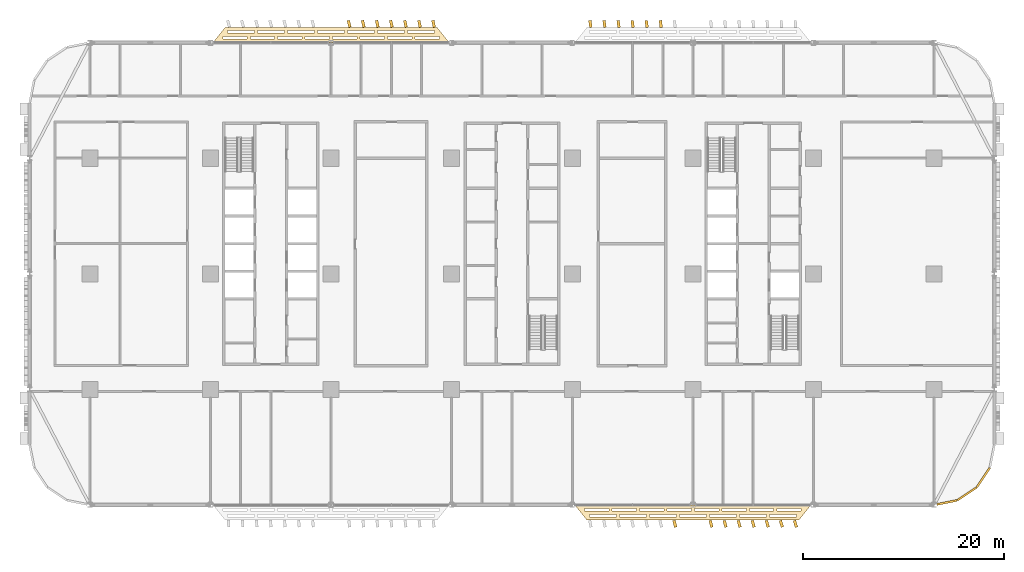
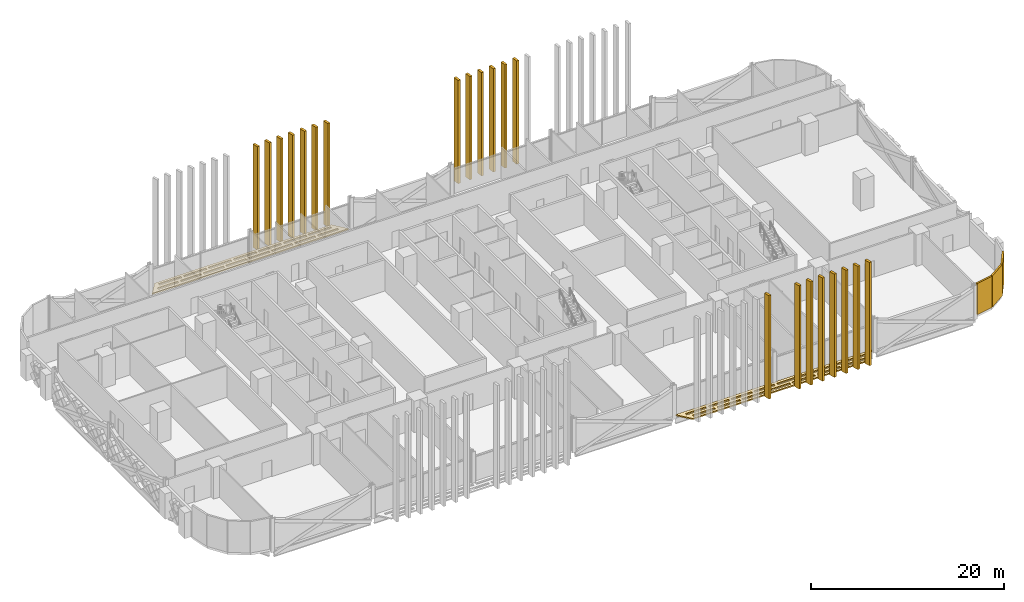
# One storey, part 26 of 29: 26 coverings.
"""IFC4 building model written with IfcOpenShell, lengths in metres."""

from ifc_helpers import new_model, si_unit, direction, frame, origin, origin_2d, place, context, subcontext, project, spatial, polyline, rectangle, outline, extrude, material, layer, layer_set, type_object, element, save


model = new_model("IFC4")

# Units and contexts
model_context = context("Model", 3, precision=1e-05, world=origin(), true_north=direction((0.0, 1.0)))
body_context = subcontext(model_context, "Body", "Model", "MODEL_VIEW")
ifc_project = project(units=[si_unit("LENGTHUNIT", "METRE"), si_unit("AREAUNIT", "SQUARE_METRE"), si_unit("VOLUMEUNIT", "CUBIC_METRE"), si_unit("PLANEANGLEUNIT", "RADIAN"), si_unit("MASSUNIT", "GRAM", prefix="KILO")], contexts=[model_context])

# Site, building, storey
site_placement = place(None, origin())
site = spatial("IfcSite", under=ifc_project, at=site_placement, CompositionType="ELEMENT")
building_placement = place(site_placement, origin())
building = spatial("IfcBuilding", under=site, at=building_placement, Name="Mahtab Terrace Research Tower", CompositionType="ELEMENT")
storey_placement = place(building_placement, frame((0.0, 0.0, 24.39990234375)))
storey = spatial("IfcBuildingStorey", under=building, at=storey_placement, Name="L05", CompositionType="ELEMENT", Elevation=24.39990234375)

# Coverings
ifc_material_1 = material(Name="Black aluminium cladding panel", Category="aluminium")
ifc_layer_1 = layer(ifc_material_1, 0.199951171875)
ifc_layer_set_1 = layer_set([ifc_layer_1], Name="Black metal corner cladding 200")
covering_type_1 = type_object("IfcCoveringType", Name="Black metal corner cladding 200", PredefinedType="CLADDING", material=ifc_layer_set_1)
covering_1_placement = place(storey_placement, frame((43.28173828125, -22.744873046875, 0.0), z_axis=(0.0, 0.0, 1.0), x_axis=(0.980760981187, 0.195212442692, 0.0)))
element("IfcCovering", 1, at=covering_1_placement, inside=storey, type_object=covering_type_1, Name="Corner cladding L05 29", PredefinedType="CLADDING", context=body_context, shape_type="SweptSolid", body=[
    extrude(rectangle(XDim=2.0283203125, YDim=0.199951171875, at=origin_2d()), origin(), (0.0, 0.0, 1.0), 3.9599609375),
])
for number, where, z_axis, x_axis, name in (
    (2, (45.26953125, -21.89306640625, 0.0), (0.0, 0.0, 1.0), (0.831655794326, 0.555291490808, 0.0), "Corner cladding L05 30"),
    (3, (46.89306640625, -20.26953125, 0.0), (0.0, 0.0, 1.0), (0.555291490808, 0.831655794326, 0.0), "Corner cladding L05 31"),
):
    element("IfcCovering", number, at=place(storey_placement, frame(where, z_axis=z_axis, x_axis=x_axis)), inside=storey, type_object=covering_type_1, Name=name, PredefinedType="CLADDING", context=body_context, shape_type="SweptSolid", body=[
        extrude(rectangle(XDim=2.30126953125, YDim=0.199951171875, at=origin_2d()), origin(), (0.0, 0.0, 1.0), 3.9599609375),
    ])
ifc_material_2 = material(Name="Black anodised aluminium", Category="aluminium")
ifc_layer_2 = layer(ifc_material_2, 0.14990234375)
ifc_layer_set_2 = layer_set([ifc_layer_2], Name="Horizontal sunshade band")
covering_type_2 = type_object("IfcCoveringType", Name="Horizontal sunshade band", PredefinedType="CLADDING", material=ifc_layer_set_2)
covering_2_placement = place(storey_placement, frame((0.0, 0.0, -0.14990234375)))
element("IfcCovering", 4, at=covering_2_placement, inside=storey, type_object=covering_type_2, Name="Sunshade band L05 7", PredefinedType="CLADDING", context=body_context, shape_type="SweptSolid", body=[
    extrude(outline(polyline([(-6.2490234375, 23.0), (-29.7509765625, 23.0), (-28.551025390625, 24.5), (-7.448974609375, 24.5), (-6.2490234375, 23.0)]), holes=[polyline([(-7.22900390625, 23.35009765625), (-9.658935546875, 23.35009765625), (-9.658935546875, 23.60009765625), (-7.22900390625, 23.60009765625), (-7.22900390625, 23.35009765625)]), polyline([(-9.958984375, 23.35009765625), (-12.388916015625, 23.35009765625), (-12.388916015625, 23.60009765625), (-9.958984375, 23.60009765625), (-9.958984375, 23.35009765625)]), polyline([(-12.68896484375, 23.35009765625), (-15.1201171875, 23.35009765625), (-15.1201171875, 23.60009765625), (-12.68896484375, 23.60009765625), (-12.68896484375, 23.35009765625)]), polyline([(-15.419921875, 23.35009765625), (-17.85009765625, 23.35009765625), (-17.85009765625, 23.60009765625), (-15.419921875, 23.60009765625), (-15.419921875, 23.35009765625)]), polyline([(-18.14990234375, 23.35009765625), (-20.580078125, 23.35009765625), (-20.580078125, 23.60009765625), (-18.14990234375, 23.60009765625), (-18.14990234375, 23.35009765625)]), polyline([(-20.8798828125, 23.35009765625), (-23.31005859375, 23.35009765625), (-23.31005859375, 23.60009765625), (-20.8798828125, 23.60009765625), (-20.8798828125, 23.35009765625)]), polyline([(-23.611083984375, 23.35009765625), (-26.041015625, 23.35009765625), (-26.041015625, 23.60009765625), (-23.611083984375, 23.60009765625), (-23.611083984375, 23.35009765625)]), polyline([(-26.341064453125, 23.35009765625), (-28.77099609375, 23.35009765625), (-28.77099609375, 23.60009765625), (-26.341064453125, 23.60009765625), (-26.341064453125, 23.35009765625)]), polyline([(-7.708984375, 23.949951171875), (-10.39208984375, 23.949951171875), (-10.39208984375, 24.199951171875), (-7.708984375, 24.199951171875), (-7.708984375, 23.949951171875)]), polyline([(-10.69189453125, 23.949951171875), (-13.375, 23.949951171875), (-13.375, 24.199951171875), (-10.69189453125, 24.199951171875), (-10.69189453125, 23.949951171875)]), polyline([(-13.675048828125, 23.949951171875), (-16.35791015625, 23.949951171875), (-16.35791015625, 24.199951171875), (-13.675048828125, 24.199951171875), (-13.675048828125, 23.949951171875)]), polyline([(-16.657958984375, 23.949951171875), (-19.342041015625, 23.949951171875), (-19.342041015625, 24.199951171875), (-16.657958984375, 24.199951171875), (-16.657958984375, 23.949951171875)]), polyline([(-19.64208984375, 23.949951171875), (-22.324951171875, 23.949951171875), (-22.324951171875, 24.199951171875), (-19.64208984375, 24.199951171875), (-19.64208984375, 23.949951171875)]), polyline([(-22.625, 23.949951171875), (-25.30810546875, 23.949951171875), (-25.30810546875, 24.199951171875), (-22.625, 24.199951171875), (-22.625, 23.949951171875)]), polyline([(-25.60791015625, 23.949951171875), (-28.291015625, 23.949951171875), (-28.291015625, 24.199951171875), (-25.60791015625, 24.199951171875), (-25.60791015625, 23.949951171875)])]), origin(), (0.0, 0.0, 1.0), 0.14990234375),
])
covering_3_placement = place(storey_placement, frame((0.0, 0.0, -0.14990234375)))
element("IfcCovering", 5, at=covering_3_placement, inside=storey, type_object=covering_type_2, Name="Sunshade band L05 26", PredefinedType="CLADDING", context=body_context, shape_type="SweptSolid", body=[
    extrude(outline(polyline([(6.2490234375, -23.0), (29.7509765625, -23.0), (28.551025390625, -24.5), (7.448974609375, -24.5), (6.2490234375, -23.0)]), holes=[polyline([(7.22900390625, -23.35009765625), (9.658935546875, -23.35009765625), (9.658935546875, -23.60009765625), (7.22900390625, -23.60009765625), (7.22900390625, -23.35009765625)]), polyline([(9.958984375, -23.35009765625), (12.388916015625, -23.35009765625), (12.388916015625, -23.60009765625), (9.958984375, -23.60009765625), (9.958984375, -23.35009765625)]), polyline([(12.68896484375, -23.35009765625), (15.1201171875, -23.35009765625), (15.1201171875, -23.60009765625), (12.68896484375, -23.60009765625), (12.68896484375, -23.35009765625)]), polyline([(15.419921875, -23.35009765625), (17.85009765625, -23.35009765625), (17.85009765625, -23.60009765625), (15.419921875, -23.60009765625), (15.419921875, -23.35009765625)]), polyline([(18.14990234375, -23.35009765625), (20.580078125, -23.35009765625), (20.580078125, -23.60009765625), (18.14990234375, -23.60009765625), (18.14990234375, -23.35009765625)]), polyline([(20.8798828125, -23.35009765625), (23.31005859375, -23.35009765625), (23.31005859375, -23.60009765625), (20.8798828125, -23.60009765625), (20.8798828125, -23.35009765625)]), polyline([(23.611083984375, -23.35009765625), (26.041015625, -23.35009765625), (26.041015625, -23.60009765625), (23.611083984375, -23.60009765625), (23.611083984375, -23.35009765625)]), polyline([(26.341064453125, -23.35009765625), (28.77099609375, -23.35009765625), (28.77099609375, -23.60009765625), (26.341064453125, -23.60009765625), (26.341064453125, -23.35009765625)]), polyline([(7.708984375, -23.949951171875), (10.39208984375, -23.949951171875), (10.39208984375, -24.199951171875), (7.708984375, -24.199951171875), (7.708984375, -23.949951171875)]), polyline([(10.69189453125, -23.949951171875), (13.375, -23.949951171875), (13.375, -24.199951171875), (10.69189453125, -24.199951171875), (10.69189453125, -23.949951171875)]), polyline([(13.675048828125, -23.949951171875), (16.35791015625, -23.949951171875), (16.35791015625, -24.199951171875), (13.675048828125, -24.199951171875), (13.675048828125, -23.949951171875)]), polyline([(16.657958984375, -23.949951171875), (19.342041015625, -23.949951171875), (19.342041015625, -24.199951171875), (16.657958984375, -24.199951171875), (16.657958984375, -23.949951171875)]), polyline([(19.64208984375, -23.949951171875), (22.324951171875, -23.949951171875), (22.324951171875, -24.199951171875), (19.64208984375, -24.199951171875), (19.64208984375, -23.949951171875)]), polyline([(22.625, -23.949951171875), (25.30810546875, -23.949951171875), (25.30810546875, -24.199951171875), (22.625, -24.199951171875), (22.625, -23.949951171875)]), polyline([(25.60791015625, -23.949951171875), (28.291015625, -23.949951171875), (28.291015625, -24.199951171875), (25.60791015625, -24.199951171875), (25.60791015625, -23.949951171875)])]), origin(), (0.0, 0.0, 1.0), 0.14990234375),
])
ifc_material_3 = material(Name="Bronze anodised aluminium", Category="aluminium")
ifc_layer_3 = layer(ifc_material_3, 0.1201171875)
ifc_layer_set_3 = layer_set([ifc_layer_3], Name="Vertical fin 700")
covering_type_3 = type_object("IfcCoveringType", Name="Vertical fin 700", PredefinedType="CLADDING", material=ifc_layer_set_3)
for number, where, z_axis, x_axis, name in (
    (6, (14.800048828125, 24.863525390625, -0.14990234375), (0.0, 0.0, 1.0), (-0.993618812002, -0.112790320663, 0.0), "Fin L05 N2"),
    (7, (13.39990234375, 24.864013671875, -0.14990234375), (0.0, 0.0, 1.0), (-0.992945813063, -0.118569019226, 0.0), "Fin L05 N3"),
    (8, (12.0, 24.86474609375, -0.14990234375), (0.0, 0.0, 1.0), (-0.9922392066, -0.12434370465, 0.0), "Fin L05 N4"),
    (9, (10.60009765625, 24.865234375, -0.14990234375), (0.0, 0.0, 1.0), (-0.991499016526, -0.130114181502, 0.0), "Fin L05 N5"),
    (10, (9.199951171875, 24.86572265625, -0.14990234375), (0.0, 0.0, 1.0), (-0.990725267892, -0.135880254489, 0.0), "Fin L05 N6"),
    (11, (7.800048828125, 24.8662109375, -0.14990234375), (0.0, 0.0, 1.0), (-0.989917986891, -0.141641728418, 0.0), "Fin L05 N7"),
    (12, (-7.800048828125, 24.871337890625, -0.14990234375), (0.0, 0.0, 1.0), (-0.978662951719, -0.205472204767, 0.0), "Fin L05 N1"),
    (13, (-9.199951171875, 24.87158203125, -0.14990234375), (0.0, 0.0, 1.0), (-0.97745100758, -0.211162325667, 0.0), "Fin L05 N2"),
    (14, (-10.60009765625, 24.8720703125, -0.14990234375), (0.0, 0.0, 1.0), (-0.976205980352, -0.216845299523, 0.0), "Fin L05 N3"),
    (15, (-12.0, 24.872314453125, -0.14990234375), (0.0, 0.0, 1.0), (-0.974927912182, -0.222520933954, 0.0), "Fin L05 N4"),
    (16, (-13.39990234375, 24.872802734375, -0.14990234375), (0.0, 0.0, 1.0), (-0.973616846325, -0.228189036878, 0.0), "Fin L05 N5"),
    (17, (-14.800048828125, 24.873046875, -0.14990234375), (0.0, 0.0, 1.0), (-0.972272827152, -0.233849416469, 0.0), "Fin L05 N6"),
    (18, (-16.199951171875, 24.873291015625, -0.14990234375), (0.0, 0.0, 1.0), (-0.970895900159, -0.239501881108, 0.0), "Fin L05 N7"),
    (19, (16.199951171875, -24.873291015625, -0.14990234375), (0.0, 0.0, 1.0), (0.970895900159, 0.239501881108, 0.0), "Fin L05 S7"),
    (20, (19.800048828125, -24.8740234375, -0.14990234375), (0.0, 0.0, 1.0), (0.967204452546, 0.253999108219, 0.0), "Fin L05 S1"),
    (21, (21.199951171875, -24.874267578125, -0.14990234375), (0.0, 0.0, 1.0), (0.965710385828, 0.259621745437, 0.0), "Fin L05 S2"),
    (22, (22.60009765625, -24.87451171875, -0.14990234375), (0.0, 0.0, 1.0), (0.964183633406, 0.265235595407, 0.0), "Fin L05 S3"),
    (23, (24.0, -24.874755859375, -0.14990234375), (0.0, 0.0, 1.0), (0.962624246951, 0.270840468138, 0.0), "Fin L05 S4"),
    (24, (25.39990234375, -24.875, -0.14990234375), (0.0, 0.0, 1.0), (0.961032279237, 0.276436173942, 0.0), "Fin L05 S5"),
    (25, (26.800048828125, -24.875244140625, -0.14990234375), (0.0, 0.0, 1.0), (0.959407784156, 0.282022523392, 0.0), "Fin L05 S6"),
    (26, (28.199951171875, -24.87548828125, -0.14990234375), (0.0, 0.0, 1.0), (0.957750816686, 0.287599327427, 0.0), "Fin L05 S7"),
):
    element("IfcCovering", number, at=place(storey_placement, frame(where, z_axis=z_axis, x_axis=x_axis)), inside=storey, type_object=covering_type_3, Name=name, PredefinedType="CLADDING", context=body_context, shape_type="SweptSolid", body=[
        extrude(rectangle(XDim=0.280029296875, YDim=0.699951171875, at=origin_2d()), origin(), (0.0, 0.0, 1.0), 13.050048828125),
    ])

save(model, "model.ifc")
